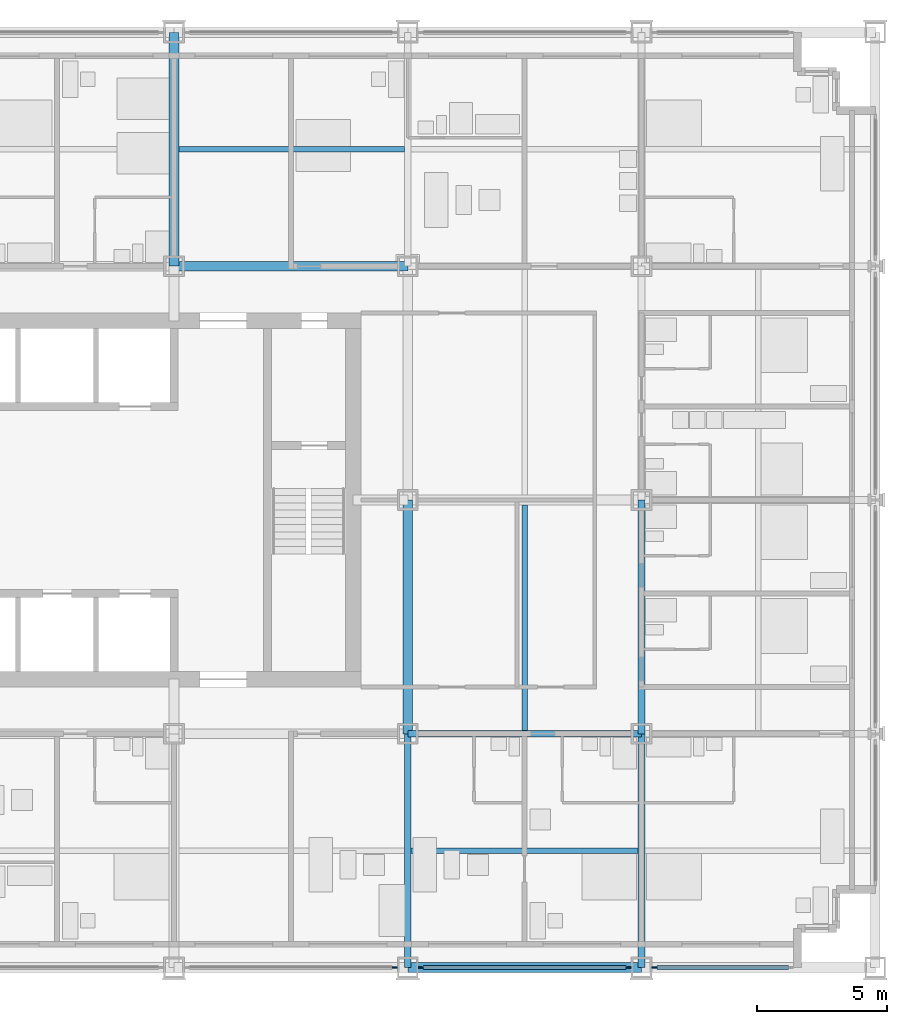
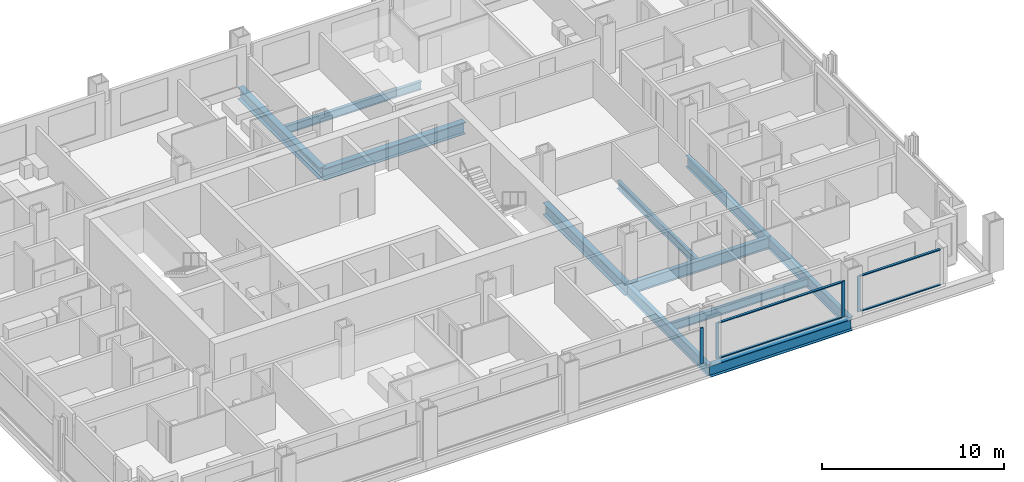
# One storey, part 5 of 18: 11 beams, 8 members, 3 elements without a shape of their own.
"""IFC4 building model written with IfcOpenShell, lengths in metres."""

import ifcopenshell
import ifcopenshell.guid

model = None  # the IFC model being written
_history = None  # IfcOwnerHistory: only IFC2X3 demands one
_inside = {}  # id of a spatial element -> (the spatial element, [elements in it])
_under = {}  # id of a project, library or spatial element -> (it, [spatial elements below it])
_declared = {}  # id of a project -> (the project, [libraries it declares])
_typed = {}  # id of a type object -> (the type object, [elements of that type])
_made_of = {}  # id of a material, layer set ... -> (it, [elements and type objects made of it])


def new_model(schema):
    """Start an empty IFC model of exactly this schema.

    Asked for "IFC4X3", IfcOpenShell would pick the latest addendum, in which some entities
    have other attributes; the version numbers below select the first issue.
    IFC2X3 requires an IfcOwnerHistory on every rooted entity: one is made here for all.
    """
    global model, _history
    if schema == "IFC4X3":
        model = ifcopenshell.file(schema_version=(4, 3, 0, 0))
    else:
        model = ifcopenshell.file(schema=schema)
    _inside.clear()
    _under.clear()
    _declared.clear()
    _typed.clear()
    _made_of.clear()
    _history = None
    if model.schema == "IFC2X3":
        org = make("IfcOrganization", Name="unknown")
        user = make(
            "IfcPersonAndOrganization",
            ThePerson=make("IfcPerson", FamilyName="unknown"),
            TheOrganization=org,
        )
        app = make(
            "IfcApplication",
            ApplicationDeveloper=org,
            Version="unknown",
            ApplicationFullName="unknown",
            ApplicationIdentifier="unknown",
        )
        _history = make(
            "IfcOwnerHistory",
            OwningUser=user,
            OwningApplication=app,
            ChangeAction="ADDED",
            CreationDate=0,
        )
    return model


def make(cls, **values):
    """One entity of the class cls with the attributes given. An attribute that is None is left unset."""
    return model.create_entity(
        cls, **{name: value for name, value in values.items() if value is not None}
    )


def rooted(cls, **values):
    """An entity with a GlobalId (a new one), such as an element, a storey or a relation."""
    return make(cls, GlobalId=ifcopenshell.guid.new(), OwnerHistory=_history, **values)


def si_unit(unit_type, name, prefix=None):
    """IfcSIUnit, for example si_unit("LENGTHUNIT", "METRE", prefix="MILLI")."""
    return make("IfcSIUnit", UnitType=unit_type, Prefix=prefix, Name=name)


def assignment(units):
    """IfcUnitAssignment: the units of a project."""
    return None if units is None else make("IfcUnitAssignment", Units=units)


def point(xyz):
    """IfcCartesianPoint."""
    return None if xyz is None else make("IfcCartesianPoint", Coordinates=xyz)


def direction(xyz):
    """IfcDirection."""
    return None if xyz is None else make("IfcDirection", DirectionRatios=xyz)


def frame(location, z_axis=None, x_axis=None):
    """IfcAxis2Placement3D, a coordinate frame: its origin and axes. An axis left out is left unset."""
    return make(
        "IfcAxis2Placement3D",
        Location=point(location),
        Axis=direction(z_axis),
        RefDirection=direction(x_axis),
    )


def frame_2d(location, x_axis=None):
    """IfcAxis2Placement2D, a coordinate frame in the plane: its origin and x axis."""
    return make(
        "IfcAxis2Placement2D", Location=point(location), RefDirection=direction(x_axis)
    )


def origin():
    """The frame at (0, 0, 0) with its axes left unset."""
    return frame((0.0, 0.0, 0.0))


def origin_2d():
    """The frame at (0, 0) in the plane with its x axis left unset."""
    return frame_2d((0.0, 0.0))


def place(relative_to, where):
    """IfcLocalPlacement: puts the frame where relative to a parent placement (None: the world)."""
    return make(
        "IfcLocalPlacement", PlacementRelTo=relative_to, RelativePlacement=where
    )


def context(
    kind, dimensions, precision=None, world=None, true_north=None, identifier=None
):
    """IfcGeometricRepresentationContext, for example the 3D "Model" context."""
    return make(
        "IfcGeometricRepresentationContext",
        ContextIdentifier=identifier,
        ContextType=kind,
        CoordinateSpaceDimension=dimensions,
        Precision=precision,
        WorldCoordinateSystem=world,
        TrueNorth=true_north,
    )


def subcontext(parent, identifier, kind, view, scale=None):
    """IfcGeometricRepresentationSubContext, for example "Body" below "Model"."""
    return make(
        "IfcGeometricRepresentationSubContext",
        ContextIdentifier=identifier,
        ContextType=kind,
        ParentContext=parent,
        TargetScale=scale,
        TargetView=view,
    )


def project(units=None, contexts=None):
    """IfcProject with its units and contexts."""
    return rooted(
        "IfcProject",
        Name="project",
        RepresentationContexts=contexts,
        UnitsInContext=assignment(units),
    )


def spatial(cls, under=None, at=None, **own):
    """A site, building, storey or space (cls), placed at a placement, below another one or the project."""
    s = rooted(cls, ObjectPlacement=at, **own)
    if under is not None:
        _under.setdefault(under.id(), (under, []))[1].append(s)
    return s


def profile(cls, at=None, kind="AREA", **sizes):
    """A parametric profile (cls). Its sizes go by their IFC names, for example OverallWidth=200.0."""
    return make(cls, ProfileType=kind, Position=at, **sizes)


def rectangle(**sizes):
    """IfcRectangleProfileDef."""
    return profile("IfcRectangleProfileDef", **sizes)


def i_section(**sizes):
    """IfcIShapeProfileDef."""
    return profile("IfcIShapeProfileDef", **sizes)


def extrude(swept, where, along, depth):
    """IfcExtrudedAreaSolid: the profile swept, set in the frame where, extruded along a direction by depth."""
    return make(
        "IfcExtrudedAreaSolid",
        SweptArea=swept,
        Position=where,
        ExtrudedDirection=direction(along),
        Depth=depth,
    )


def shape(context_of_items, identifier, shape_type, items):
    """IfcShapeRepresentation: the items that make up one representation, for example the "Body"."""
    return make(
        "IfcShapeRepresentation",
        ContextOfItems=context_of_items,
        RepresentationIdentifier=identifier,
        RepresentationType=shape_type,
        Items=items,
    )


def material(Name=None, Category=None):
    """IfcMaterial."""
    return make("IfcMaterial", Name=Name, Category=Category)


def material_profile(
    of_material, cross_section, Name=None, Category=None, Priority=None
):
    """IfcMaterialProfile: a cross section and its material."""
    return make(
        "IfcMaterialProfile",
        Name=Name,
        Material=of_material,
        Profile=cross_section,
        Priority=Priority,
        Category=Category,
    )


def profile_set(profiles, Name=None, composite=None):
    """IfcMaterialProfileSet."""
    return make(
        "IfcMaterialProfileSet",
        Name=Name,
        MaterialProfiles=profiles,
        CompositeProfile=composite,
    )


def made_of(thing, what):
    """Note that an element or type object is made of a material, layer set ...; save() writes the relation."""
    if what is not None:
        _made_of.setdefault(what.id(), (what, []))[1].append(thing)
    return thing


def type_object(cls, material=None, **own):
    """A type object (cls), such as IfcWallType, which elements share."""
    return made_of(rooted(cls, **own), material)


def element(
    cls,
    number,
    at=None,
    inside=None,
    cuts=None,
    type_object=None,
    material=None,
    context=None,
    identifier="Body",
    shape_type=None,
    held_by="IfcProductDefinitionShape",
    body=None,
    shapes=None,
    **own,
):
    """One element of the class cls, such as IfcWall. Its Tag is "e" and its number.

    at: its placement. inside: the storey or other place that contains it. cuts: it is an
    opening in that element (IfcRelVoidsElement). A single representation is given by context,
    identifier, shape_type and body (its items); several are given by shapes. held_by: the class
    of the entity that holds the representations. save() writes the other relations.
    """
    e = rooted(cls, Tag="e%d" % number, ObjectPlacement=at, **own)
    if body is not None:
        shapes = [shape(context, identifier, shape_type, body)]
    if shapes is not None:
        e.Representation = make(held_by, Representations=shapes)
    if inside is not None:
        _inside.setdefault(inside.id(), (inside, []))[1].append(e)
    if cuts is not None:
        rooted(
            "IfcRelVoidsElement", RelatingBuildingElement=cuts, RelatedOpeningElement=e
        )
    if type_object is not None:
        _typed.setdefault(type_object.id(), (type_object, []))[1].append(e)
    return made_of(e, material)


def aggregate(whole, parts):
    """IfcRelAggregates: a whole, such as a stair, and the parts it consists of."""
    return rooted("IfcRelAggregates", RelatingObject=whole, RelatedObjects=parts)


def save(model, path):
    """Write the relations noted so far, then the file.

    IfcRelAggregates (storeys below a building ...), IfcRelContainedInSpatialStructure (elements
    in a storey), IfcRelDefinesByType, IfcRelAssociatesMaterial and IfcRelDeclares: one each for
    every whole, place, type object, material and project.
    """
    for whole, parts in _under.values():
        aggregate(whole, parts)
    for where, things in _inside.values():
        rooted(
            "IfcRelContainedInSpatialStructure",
            RelatedElements=things,
            RelatingStructure=where,
        )
    for kind, things in _typed.values():
        rooted("IfcRelDefinesByType", RelatedObjects=things, RelatingType=kind)
    for what, things in _made_of.values():
        rooted("IfcRelAssociatesMaterial", RelatedObjects=things, RelatingMaterial=what)
    for by, libraries in _declared.values():
        rooted("IfcRelDeclares", RelatingContext=by, RelatedDefinitions=libraries)
    model.write(path)


model = new_model("IFC4")

# Units and contexts
model_context = context("Model", 3, precision=1e-05, world=origin(), true_north=direction((0.0, 1.0)))
body_context = subcontext(model_context, "Body", "Model", "MODEL_VIEW")
ifc_project = project(units=[si_unit("LENGTHUNIT", "METRE"), si_unit("AREAUNIT", "SQUARE_METRE"), si_unit("VOLUMEUNIT", "CUBIC_METRE"), si_unit("PLANEANGLEUNIT", "RADIAN"), si_unit("MASSUNIT", "GRAM", prefix="KILO")], contexts=[model_context])

# Site, building, storey
site_placement = place(None, origin())
site = spatial("IfcSite", under=ifc_project, at=site_placement, CompositionType="ELEMENT")
building_placement = place(site_placement, origin())
building = spatial("IfcBuilding", under=site, at=building_placement, Name="Loomwork Tower", CompositionType="ELEMENT")
storey_placement = place(building_placement, frame((0.0, 0.0, 58.60009765625)))
storey = spatial("IfcBuildingStorey", under=building, at=storey_placement, Name="L14", CompositionType="ELEMENT", Elevation=58.60009765625)

# Beams
ifc_material_1 = material(Name="Steel ASTM A992", Category="steel")
ifc_material_profile_1 = material_profile(ifc_material_1, i_section(OverallWidth=0.383544921875, OverallDepth=0.794921875, WebThickness=0.02099609375, FlangeThickness=0.0380859375, at=origin_2d()), Name="W30x235")
ifc_profile_set_1 = profile_set([ifc_material_profile_1], Name="Steel ASTM A992")
beam_type_1 = type_object("IfcBeamType", Name="CORE FLANK GIRDER W30x235", PredefinedType="BEAM", material=ifc_profile_set_1)
for number, where, z_axis, x_axis, name in (
    (1, (27.0, 27.0, -0.59765625), (1.0, 0.0, 0.0), (0.0, 1.0, 0.0), "Core Flank Girder G/5-G/6 L14"),
    (2, (27.0, 27.0, -0.59765625), (0.0, 1.0, 0.0), (-1.0, 0.0, 0.0), "Core Flank Girder G/5-H/5 L14"),
    (3, (36.0, 9.0, -0.59765625), (0.0, 1.0, 0.0), (-1.0, 0.0, 0.0), "Core Flank Girder E/6-F/6 L14"),
):
    element("IfcBeam", number, at=place(storey_placement, frame(where, z_axis=z_axis, x_axis=x_axis)), inside=storey, type_object=beam_type_1, Name=name, PredefinedType="BEAM", context=body_context, shape_type="SweptSolid", body=[
        extrude(i_section(OverallWidth=0.383544921875, OverallDepth=0.794921875, WebThickness=0.02099609375, FlangeThickness=0.0380859375, at=origin_2d()), origin(), (0.0, 0.0, 1.0), 9.0),
    ])
ifc_material_2 = material(Name="Steel ASTM A992", Category="steel")
ifc_material_profile_2 = material_profile(ifc_material_2, i_section(OverallWidth=0.2666015625, OverallDepth=0.761962890625, WebThickness=0.014404296875, FlangeThickness=0.021484375, at=origin_2d()), Name="W30x116")
ifc_profile_set_2 = profile_set([ifc_material_profile_2], Name="Steel ASTM A992")
beam_type_2 = type_object("IfcBeamType", Name="FLOOR GIRDER W30x116", PredefinedType="BEAM", material=ifc_profile_set_2)
for number, where, z_axis, x_axis, name in (
    (4, (36.0, 9.0, -0.5810546875), (1.0, 0.0, 0.0), (0.0, 1.0, 0.0), "Floor Girder E/6-E/7 L14"),
    (5, (36.0, 0.0, -0.5810546875), (0.0, 1.0, 0.0), (-1.0, 0.0, 0.0), "Floor Girder D/6-E/6 L14"),
    (6, (45.0, 0.0, -0.5810546875), (0.0, 1.0, 0.0), (-1.0, 0.0, 0.0), "Floor Girder D/7-E/7 L14"),
    (7, (45.0, 9.0, -0.5810546875), (0.0, 1.0, 0.0), (-1.0, 0.0, 0.0), "Floor Girder E/7-F/7 L14"),
):
    element("IfcBeam", number, at=place(storey_placement, frame(where, z_axis=z_axis, x_axis=x_axis)), inside=storey, type_object=beam_type_2, Name=name, PredefinedType="BEAM", context=body_context, shape_type="SweptSolid", body=[
        extrude(i_section(OverallWidth=0.2666015625, OverallDepth=0.761962890625, WebThickness=0.014404296875, FlangeThickness=0.021484375, at=origin_2d()), origin(), (0.0, 0.0, 1.0), 9.0),
    ])
ifc_material_3 = material(Name="Steel ASTM A992", Category="steel")
ifc_material_profile_3 = material_profile(ifc_material_3, i_section(OverallWidth=0.2109375, OverallDepth=0.53857421875, WebThickness=0.011474609375, FlangeThickness=0.018798828125, at=origin_2d()), Name="W21x73")
ifc_profile_set_3 = profile_set([ifc_material_profile_3], Name="Steel ASTM A992")
beam_type_3 = type_object("IfcBeamType", Name="FLOOR JOIST W21x73", PredefinedType="JOIST", material=ifc_profile_set_3)
beam_1_placement = place(storey_placement, frame((27.19091796875, 31.5, -0.46923828125), z_axis=(1.0, 0.0, 0.0), x_axis=(0.0, 1.0, 0.0)))
element("IfcBeam", 8, at=beam_1_placement, inside=storey, type_object=beam_type_3, Name="Floor Joist 27.000,31.500-36.000,31.500 L14", PredefinedType="JOIST", context=body_context, shape_type="SweptSolid", body=[
    extrude(i_section(OverallWidth=0.2109375, OverallDepth=0.53857421875, WebThickness=0.011474609375, FlangeThickness=0.018798828125, at=origin_2d()), origin(), (0.0, 0.0, 1.0), 8.676025390625),
])
beam_2_placement = place(storey_placement, frame((36.133056640625, 4.5, -0.46923828125), z_axis=(1.0, 0.0, 0.0), x_axis=(0.0, 1.0, 0.0)))
element("IfcBeam", 9, at=beam_2_placement, inside=storey, type_object=beam_type_3, Name="Floor Joist 36.000,4.500-45.000,4.500 L14", PredefinedType="JOIST", context=body_context, shape_type="SweptSolid", body=[
    extrude(i_section(OverallWidth=0.2109375, OverallDepth=0.53857421875, WebThickness=0.011474609375, FlangeThickness=0.018798828125, at=origin_2d()), origin(), (0.0, 0.0, 1.0), 8.73388671875),
])
beam_3_placement = place(storey_placement, frame((40.5, 9.133056640625, -0.46923828125), z_axis=(0.0, 1.0, 0.0), x_axis=(-1.0, 0.0, 0.0)))
element("IfcBeam", 10, at=beam_3_placement, inside=storey, type_object=beam_type_3, Name="Floor Joist 40.500,9.000-40.500,18.000 L14", PredefinedType="JOIST", context=body_context, shape_type="SweptSolid", body=[
    extrude(i_section(OverallWidth=0.2109375, OverallDepth=0.53857421875, WebThickness=0.011474609375, FlangeThickness=0.018798828125, at=origin_2d()), origin(), (0.0, 0.0, 1.0), 8.676025390625),
])

# Curtain wall, member
ifc_material_4 = material(Name="Aluminium curtain wall frame", Category="aluminium")
curtain_wall_type = type_object("IfcCurtainWallType", Name="Outer skin glazing hotel", PredefinedType="NOTDEFINED", material=ifc_material_4)
curtain_wall_1_placement = place(storey_placement, origin())
curtain_wall_1 = element("IfcCurtainWall", 11, at=curtain_wall_1_placement, inside=storey, type_object=curtain_wall_type, Name="Outer skin glazing hotel cw/S-27", PredefinedType="NOTDEFINED")
ifc_material_5 = material(Name="Aluminium curtain wall frame", Category="aluminium")
ifc_material_profile_4 = material_profile(ifc_material_5, rectangle(XDim=0.06494140625, YDim=0.199951171875, at=origin_2d()), Name="AL 65x200")
ifc_profile_set_4 = profile_set([ifc_material_profile_4], Name="Aluminium curtain wall frame")
member_type_1 = type_object("IfcMemberType", Name="Outer skin glazing hotel mullion", PredefinedType="MULLION", material=ifc_profile_set_4)
member_1_placement = place(storey_placement, frame((35.5, 0.0, 0.0), z_axis=(0.0, 0.0, 1.0), x_axis=(0.0, 1.0, 0.0)))
member_1 = element("IfcMember", 12, at=member_1_placement, type_object=member_type_1, Name="CW1 mullion 2", PredefinedType="MULLION", context=body_context, shape_type="SweptSolid", body=[
    extrude(rectangle(XDim=0.06494140625, YDim=0.199951171875, at=origin_2d()), origin(), (0.0, 0.0, 1.0), 2.420166015625),
])
aggregate(curtain_wall_1, [member_1])

# Curtain wall, members
curtain_wall_2_placement = place(storey_placement, origin())
curtain_wall_2 = element("IfcCurtainWall", 13, at=curtain_wall_2_placement, inside=storey, type_object=curtain_wall_type, Name="Outer skin glazing hotel cw/S-36", PredefinedType="NOTDEFINED")
member_2_placement = place(storey_placement, frame((36.5, 0.0, 0.0), z_axis=(0.0, 0.0, 1.0), x_axis=(0.0, 1.0, 0.0)))
member_2 = element("IfcMember", 14, at=member_2_placement, type_object=member_type_1, Name="CW1 mullion 1", PredefinedType="MULLION", context=body_context, shape_type="SweptSolid", body=[
    extrude(rectangle(XDim=0.06494140625, YDim=0.199951171875, at=origin_2d()), origin(), (0.0, 0.0, 1.0), 2.420166015625),
])
member_3_placement = place(storey_placement, frame((44.5, 0.0, 0.0), z_axis=(0.0, 0.0, 1.0), x_axis=(0.0, 1.0, 0.0)))
member_3 = element("IfcMember", 15, at=member_3_placement, type_object=member_type_1, Name="CW1 mullion 2", PredefinedType="MULLION", context=body_context, shape_type="SweptSolid", body=[
    extrude(rectangle(XDim=0.06494140625, YDim=0.199951171875, at=origin_2d()), origin(), (0.0, 0.0, 1.0), 2.420166015625),
])

# Curtain wall, member
curtain_wall_3_placement = place(storey_placement, origin())
curtain_wall_3 = element("IfcCurtainWall", 16, at=curtain_wall_3_placement, inside=storey, type_object=curtain_wall_type, Name="Outer skin glazing hotel cw/S-45", PredefinedType="NOTDEFINED")
member_4_placement = place(storey_placement, frame((45.5, 0.0, 0.0), z_axis=(0.0, 0.0, 1.0), x_axis=(0.0, 1.0, 0.0)))
member_4 = element("IfcMember", 17, at=member_4_placement, type_object=member_type_1, Name="CW1 mullion 1", PredefinedType="MULLION", context=body_context, shape_type="SweptSolid", body=[
    extrude(rectangle(XDim=0.06494140625, YDim=0.199951171875, at=origin_2d()), origin(), (0.0, 0.0, 1.0), 2.420166015625),
])

# Member
ifc_material_6 = material(Name="Aluminium curtain wall frame", Category="aluminium")
ifc_material_profile_5 = material_profile(ifc_material_6, rectangle(XDim=0.14990234375, YDim=0.06494140625, at=origin_2d()), Name="AL 65x150")
ifc_profile_set_5 = profile_set([ifc_material_profile_5], Name="Aluminium curtain wall frame")
member_type_2 = type_object("IfcMemberType", Name="Outer skin glazing hotel transom", PredefinedType="USERDEFINED", material=ifc_profile_set_5)
member_5_placement = place(storey_placement, frame((36.60009765625, 0.0, 0.032470703125), z_axis=(1.0, 0.0, 0.0), x_axis=(0.0, 1.0, 0.0)))
member_5 = element("IfcMember", 18, at=member_5_placement, type_object=member_type_2, Name="CW1 transom 1.1", ObjectType="TRANSOM", PredefinedType="USERDEFINED", context=body_context, shape_type="SweptSolid", body=[
    extrude(rectangle(XDim=0.14990234375, YDim=0.06494140625, at=origin_2d()), origin(), (0.0, 0.0, 1.0), 7.7998046875),
])

member_6_placement = place(storey_placement, frame((36.60009765625, 0.0, 2.3876953125), z_axis=(1.0, 0.0, 0.0), x_axis=(0.0, 1.0, 0.0)))
member_6 = element("IfcMember", 19, at=member_6_placement, type_object=member_type_2, Name="CW1 transom 1.2", ObjectType="TRANSOM", PredefinedType="USERDEFINED", context=body_context, shape_type="SweptSolid", body=[
    extrude(rectangle(XDim=0.14990234375, YDim=0.06494140625, at=origin_2d()), origin(), (0.0, 0.0, 1.0), 7.7998046875),
])

aggregate(curtain_wall_2, [member_2, member_3, member_5, member_6])

member_7_placement = place(storey_placement, frame((45.60009765625, 0.0, 0.032470703125), z_axis=(1.0, 0.0, 0.0), x_axis=(0.0, 1.0, 0.0)))
member_7 = element("IfcMember", 20, at=member_7_placement, type_object=member_type_2, Name="CW1 transom 1.1", ObjectType="TRANSOM", PredefinedType="USERDEFINED", context=body_context, shape_type="SweptSolid", body=[
    extrude(rectangle(XDim=0.14990234375, YDim=0.06494140625, at=origin_2d()), origin(), (0.0, 0.0, 1.0), 5.0498046875),
])

member_8_placement = place(storey_placement, frame((45.60009765625, 0.0, 2.3876953125), z_axis=(1.0, 0.0, 0.0), x_axis=(0.0, 1.0, 0.0)))
member_8 = element("IfcMember", 21, at=member_8_placement, type_object=member_type_2, Name="CW1 transom 1.2", ObjectType="TRANSOM", PredefinedType="USERDEFINED", context=body_context, shape_type="SweptSolid", body=[
    extrude(rectangle(XDim=0.14990234375, YDim=0.06494140625, at=origin_2d()), origin(), (0.0, 0.0, 1.0), 5.0498046875),
])

aggregate(curtain_wall_3, [member_4, member_7, member_8])

# Beam
ifc_material_7 = material(Name="Steel ASTM A992", Category="steel")
ifc_material_profile_6 = material_profile(ifc_material_7, i_section(OverallWidth=0.381103515625, OverallDepth=0.77978515625, WebThickness=0.01806640625, FlangeThickness=0.0302734375, at=origin_2d()), Name="W30x191")
ifc_profile_set_6 = profile_set([ifc_material_profile_6], Name="Steel ASTM A992")
beam_type_4 = type_object("IfcBeamType", Name="SPANDREL GIRDER W30x191", PredefinedType="SPANDREL", material=ifc_profile_set_6)
beam_4_placement = place(storey_placement, frame((36.0, 0.0, -0.590087890625), z_axis=(1.0, 0.0, 0.0), x_axis=(0.0, 1.0, 0.0)))
element("IfcBeam", 22, at=beam_4_placement, inside=storey, type_object=beam_type_4, Name="Spandrel Girder D/6-D/7 L14", PredefinedType="SPANDREL", context=body_context, shape_type="SweptSolid", body=[
    extrude(i_section(OverallWidth=0.381103515625, OverallDepth=0.77978515625, WebThickness=0.01806640625, FlangeThickness=0.0302734375, at=origin_2d()), origin(), (0.0, 0.0, 1.0), 9.0),
])

save(model, "model.ifc")
